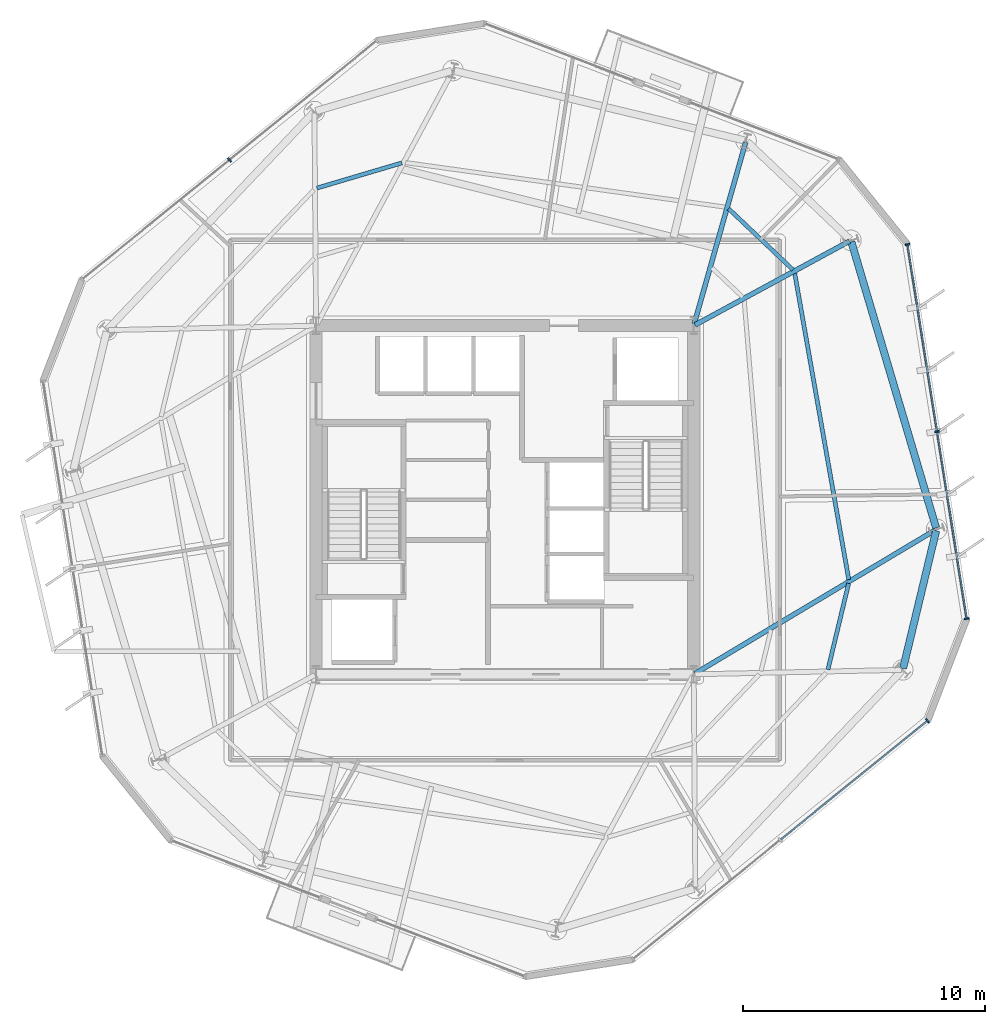
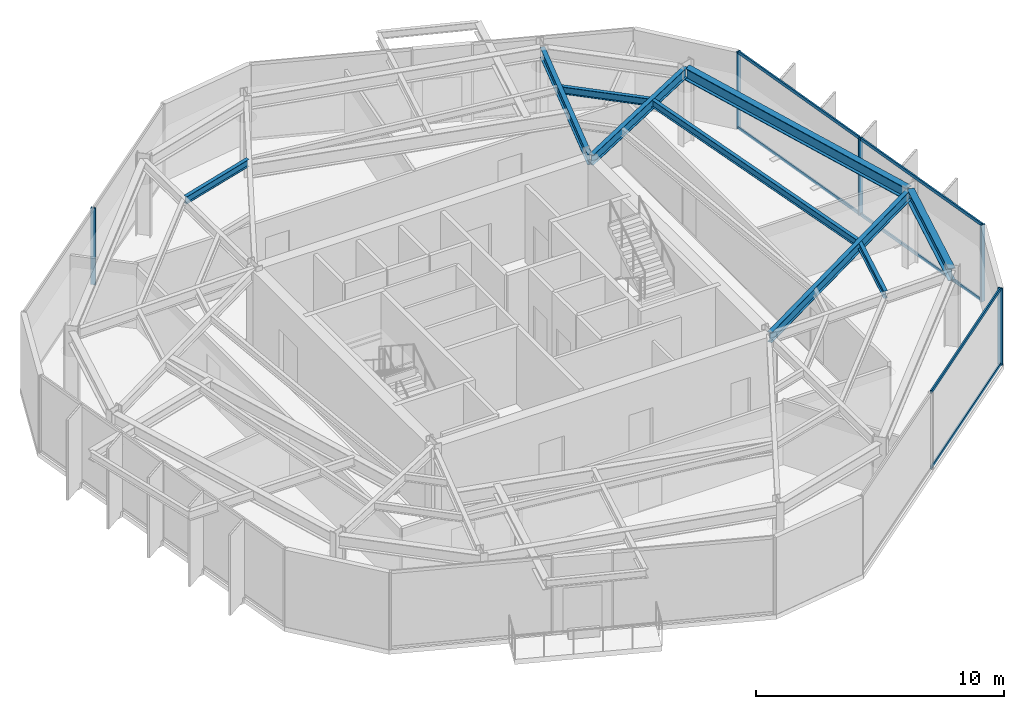
# One storey, part 4 of 12: 11 members, 9 beams, 3 elements without a shape of their own.
"""IFC4 building model written with IfcOpenShell, lengths in metres."""

from ifc_helpers import new_model, si_unit, direction, frame, origin, origin_2d, place, context, subcontext, project, spatial, rectangle, i_section, extrude, material, layer, layer_set, material_profile, profile_set, type_object, element, aggregate, save


model = new_model("IFC4")

# Units and contexts
model_context = context("Model", 3, precision=1e-05, world=origin(), true_north=direction((0.0, 1.0)))
body_context = subcontext(model_context, "Body", "Model", "MODEL_VIEW")
ifc_project = project(units=[si_unit("LENGTHUNIT", "METRE"), si_unit("AREAUNIT", "SQUARE_METRE"), si_unit("VOLUMEUNIT", "CUBIC_METRE"), si_unit("PLANEANGLEUNIT", "RADIAN"), si_unit("MASSUNIT", "GRAM", prefix="KILO")], contexts=[model_context])

# Site, building, storey
site_placement = place(None, origin())
site = spatial("IfcSite", under=ifc_project, at=site_placement, CompositionType="ELEMENT")
building_placement = place(site_placement, origin())
building = spatial("IfcBuilding", under=site, at=building_placement, Name="Kranzbogen Civic Tower", CompositionType="ELEMENT")
storey_placement = place(building_placement, frame((0.0, 0.0, 180.800048828125)))
storey = spatial("IfcBuildingStorey", under=building, at=storey_placement, Name="L43", CompositionType="ELEMENT", Elevation=180.800048828125)

# Curtain wall, member
ifc_material_1 = material(Name="Pale Anodised Aluminium", Category="aluminium")
ifc_layer = layer(ifc_material_1, 0.219970703125, Name="Pale Anodised Aluminium")
ifc_layer_set = layer_set([ifc_layer], Name="Pale Anodised Aluminium")
curtain_wall_type = type_object("IfcCurtainWallType", Name="Zone 3 Stick Curtain Wall System CW-04", PredefinedType="USERDEFINED", material=ifc_layer_set)
curtain_wall_1_placement = place(storey_placement, origin())
curtain_wall_1 = element("IfcCurtainWall", 1, at=curtain_wall_1_placement, inside=storey, type_object=curtain_wall_type, Name="L43 curtain wall CW-L43-F2", ObjectType="STICK CURTAIN WALL", PredefinedType="USERDEFINED")
ifc_material_profile_1 = material_profile(ifc_material_1, rectangle(XDim=0.070068359375, YDim=0.199951171875, at=origin_2d()), Name="ALU-M 70x200")
ifc_profile_set_1 = profile_set([ifc_material_profile_1], Name="Pale Anodised Aluminium")
member_type_1 = type_object("IfcMemberType", Name="Curtain Wall Mullion ALU-M 70x200", PredefinedType="MULLION", material=ifc_profile_set_1)
member_1_placement = place(storey_placement, frame((13.62646484375, 39.0439453125, 0.0), z_axis=(0.0, 0.0, 1.0), x_axis=(-0.777115874444, -0.629357543601, 0.0)))
member_1 = element("IfcMember", 2, at=member_1_placement, type_object=member_type_1, Name="CW-04 mullion 2", PredefinedType="MULLION", context=body_context, shape_type="SweptSolid", body=[
    extrude(rectangle(XDim=0.070068359375, YDim=0.199951171875, at=origin_2d()), origin(), (0.0, 0.0, 1.0), 3.780029296875),
])
aggregate(curtain_wall_1, [member_1])

curtain_wall_2_placement = place(storey_placement, origin())
curtain_wall_2 = element("IfcCurtainWall", 3, at=curtain_wall_2_placement, inside=storey, type_object=curtain_wall_type, Name="L43 curtain wall CW-L43-F5", ObjectType="STICK CURTAIN WALL", PredefinedType="USERDEFINED")
member_2_placement = place(storey_placement, frame((42.45361328125, 15.880126953125, 0.0), z_axis=(0.0, 0.0, 1.0), x_axis=(0.777115874444, 0.629357543601, 0.0)))
member_2 = element("IfcMember", 4, at=member_2_placement, type_object=member_type_1, Name="CW-04 mullion 3", PredefinedType="MULLION", context=body_context, shape_type="SweptSolid", body=[
    extrude(rectangle(XDim=0.070068359375, YDim=0.199951171875, at=origin_2d()), origin(), (0.0, 0.0, 1.0), 3.780029296875),
])

# Curtain wall, members
curtain_wall_3_placement = place(storey_placement, origin())
curtain_wall_3 = element("IfcCurtainWall", 5, at=curtain_wall_3_placement, inside=storey, type_object=curtain_wall_type, Name="L43 curtain wall CW-L43-F6", ObjectType="STICK CURTAIN WALL", PredefinedType="USERDEFINED")
member_3_placement = place(storey_placement, frame((44.072265625, 20.099609375, 0.0), z_axis=(0.0, 0.0, 1.0), x_axis=(-0.156361413818, 0.987699908003, 0.0)))
member_3 = element("IfcMember", 6, at=member_3_placement, type_object=member_type_1, Name="CW-04 mullion 1", PredefinedType="MULLION", context=body_context, shape_type="SweptSolid", body=[
    extrude(rectangle(XDim=0.070068359375, YDim=0.199951171875, at=origin_2d()), origin(), (0.0, 0.0, 1.0), 3.780029296875),
])
member_4_placement = place(storey_placement, frame((42.84912109375, 27.826904296875, 0.0), z_axis=(0.0, 0.0, 1.0), x_axis=(-0.156361413818, 0.987699908003, 0.0)))
member_4 = element("IfcMember", 7, at=member_4_placement, type_object=member_type_1, Name="CW-04 mullion 2", PredefinedType="MULLION", context=body_context, shape_type="SweptSolid", body=[
    extrude(rectangle(XDim=0.070068359375, YDim=0.199951171875, at=origin_2d()), origin(), (0.0, 0.0, 1.0), 3.780029296875),
])
member_5_placement = place(storey_placement, frame((41.625732421875, 35.554443359375, 0.0), z_axis=(0.0, 0.0, 1.0), x_axis=(-0.156361413818, 0.987699908003, 0.0)))
member_5 = element("IfcMember", 8, at=member_5_placement, type_object=member_type_1, Name="CW-04 mullion 3", PredefinedType="MULLION", context=body_context, shape_type="SweptSolid", body=[
    extrude(rectangle(XDim=0.070068359375, YDim=0.199951171875, at=origin_2d()), origin(), (0.0, 0.0, 1.0), 3.780029296875),
])

# Member
ifc_material_profile_2 = material_profile(ifc_material_1, rectangle(XDim=0.070068359375, YDim=0.14990234375, at=origin_2d()), Name="ALU-T 70x150")
ifc_profile_set_2 = profile_set([ifc_material_profile_2], Name="Pale Anodised Aluminium")
member_type_2 = type_object("IfcMemberType", Name="Curtain Wall Transom ALU-T 70x150", PredefinedType="USERDEFINED", material=ifc_profile_set_2)
member_6_placement = place(storey_placement, frame((36.396728515625, 10.974853515625, 0.030029296875), z_axis=(0.777115243261, 0.62935832297, 0.0), x_axis=(-0.62935832297, 0.777115243261, 0.0)))
member_6 = element("IfcMember", 9, at=member_6_placement, type_object=member_type_2, Name="CW-04 transom 2.1", ObjectType="TRANSOM", PredefinedType="USERDEFINED", context=body_context, shape_type="SweptSolid", body=[
    extrude(rectangle(XDim=0.070068359375, YDim=0.14990234375, at=origin_2d()), origin(), (0.0, 0.0, 1.0), 7.76416015625),
])

member_7_placement = place(storey_placement, frame((36.396728515625, 10.974853515625, 3.75), z_axis=(0.777115243261, 0.62935832297, 0.0), x_axis=(-0.62935832297, 0.777115243261, 0.0)))
member_7 = element("IfcMember", 10, at=member_7_placement, type_object=member_type_2, Name="CW-04 transom 2.2", ObjectType="TRANSOM", PredefinedType="USERDEFINED", context=body_context, shape_type="SweptSolid", body=[
    extrude(rectangle(XDim=0.070068359375, YDim=0.14990234375, at=origin_2d()), origin(), (0.0, 0.0, 1.0), 7.76416015625),
])

aggregate(curtain_wall_2, [member_2, member_6, member_7])

member_8_placement = place(storey_placement, frame((44.067626953125, 20.129150390625, 0.030029296875), z_axis=(-0.156351732392, 0.987701440607, 0.0), x_axis=(-0.987701440607, -0.156351732392, 0.0)))
member_8 = element("IfcMember", 11, at=member_8_placement, type_object=member_type_2, Name="CW-04 transom 1.1", ObjectType="TRANSOM", PredefinedType="USERDEFINED", context=body_context, shape_type="SweptSolid", body=[
    extrude(rectangle(XDim=0.070068359375, YDim=0.14990234375, at=origin_2d()), origin(), (0.0, 0.0, 1.0), 7.763671875),
])

member_9_placement = place(storey_placement, frame((44.067626953125, 20.129150390625, 3.75), z_axis=(-0.156351732392, 0.987701440607, 0.0), x_axis=(-0.987701440607, -0.156351732392, 0.0)))
member_9 = element("IfcMember", 12, at=member_9_placement, type_object=member_type_2, Name="CW-04 transom 1.2", ObjectType="TRANSOM", PredefinedType="USERDEFINED", context=body_context, shape_type="SweptSolid", body=[
    extrude(rectangle(XDim=0.070068359375, YDim=0.14990234375, at=origin_2d()), origin(), (0.0, 0.0, 1.0), 7.763671875),
])

member_10_placement = place(storey_placement, frame((42.84423828125, 27.856689453125, 0.030029296875), z_axis=(-0.156356588779, 0.987700671836, 0.0), x_axis=(-0.987700671836, -0.156356588779, 0.0)))
member_10 = element("IfcMember", 13, at=member_10_placement, type_object=member_type_2, Name="CW-04 transom 2.1", ObjectType="TRANSOM", PredefinedType="USERDEFINED", context=body_context, shape_type="SweptSolid", body=[
    extrude(rectangle(XDim=0.070068359375, YDim=0.14990234375, at=origin_2d()), origin(), (0.0, 0.0, 1.0), 7.763427734375),
])

member_11_placement = place(storey_placement, frame((42.84423828125, 27.856689453125, 3.75), z_axis=(-0.156356588779, 0.987700671836, 0.0), x_axis=(-0.987700671836, -0.156356588779, 0.0)))
member_11 = element("IfcMember", 14, at=member_11_placement, type_object=member_type_2, Name="CW-04 transom 2.2", ObjectType="TRANSOM", PredefinedType="USERDEFINED", context=body_context, shape_type="SweptSolid", body=[
    extrude(rectangle(XDim=0.070068359375, YDim=0.14990234375, at=origin_2d()), origin(), (0.0, 0.0, 1.0), 7.763427734375),
])

aggregate(curtain_wall_3, [member_3, member_4, member_5, member_8, member_9, member_10, member_11])

# Beams
ifc_material_2 = material(Name="Steel S355", Category="steel")
ifc_material_profile_3 = material_profile(ifc_material_2, i_section(OverallWidth=0.300048828125, OverallDepth=0.60009765625, WebThickness=0.015380859375, FlangeThickness=0.030029296875, at=origin_2d()), Name="HEB 600")
ifc_profile_set_3 = profile_set([ifc_material_profile_3], Name="Steel S355")
beam_type_1 = type_object("IfcBeamType", Name="Perimeter Tube Spandrel Beam HEB 600", PredefinedType="SPANDREL", material=ifc_profile_set_3)
beam_1_placement = place(storey_placement, frame((41.447021484375, 18.0419921875, 3.47998046875), z_axis=(0.233554380434, 0.972343741369, 0.0), x_axis=(-0.972343741369, 0.233554380434, 0.0)))
element("IfcBeam", 15, at=beam_1_placement, inside=storey, type_object=beam_type_1, Name="L43 perimeter spandrel beam 05", PredefinedType="SPANDREL", context=body_context, shape_type="SweptSolid", body=[
    extrude(i_section(OverallWidth=0.300048828125, OverallDepth=0.60009765625, WebThickness=0.015380859375, FlangeThickness=0.030029296875, at=origin_2d()), origin(), (0.0, 0.0, 1.0), 5.852783203125),
])
beam_2_placement = place(storey_placement, frame((42.81103515625, 23.84912109375, 3.47998046875), z_axis=(-0.284064048956, 0.958805306666, 0.0), x_axis=(-0.958805306666, -0.284064048956, 0.0)))
element("IfcBeam", 16, at=beam_2_placement, inside=storey, type_object=beam_type_1, Name="L43 perimeter spandrel beam 06", PredefinedType="SPANDREL", context=body_context, shape_type="SweptSolid", body=[
    extrude(i_section(OverallWidth=0.300048828125, OverallDepth=0.60009765625, WebThickness=0.015380859375, FlangeThickness=0.030029296875, at=origin_2d()), origin(), (0.0, 0.0, 1.0), 12.32470703125),
])
ifc_material_profile_4 = material_profile(ifc_material_2, i_section(OverallWidth=0.199951171875, OverallDepth=0.5, WebThickness=0.01025390625, FlangeThickness=0.01611328125, at=origin_2d()), Name="IPE 500")
ifc_profile_set_4 = profile_set([ifc_material_profile_4], Name="Steel S355")
beam_type_2 = type_object("IfcBeamType", Name="Radial Tower Floor Girder IPE 500", PredefinedType="BEAM", material=ifc_profile_set_4)
beam_3_placement = place(storey_placement, frame((42.77587890625, 23.760009765625, 3.530029296875), z_axis=(-0.858458551809, -0.512882944565, 0.0), x_axis=(0.512882944565, -0.858458551809, 0.0)))
element("IfcBeam", 17, at=beam_3_placement, inside=storey, type_object=beam_type_2, Name="L43 radial floor girder 06", PredefinedType="BEAM", context=body_context, shape_type="SweptSolid", body=[
    extrude(i_section(OverallWidth=0.199951171875, OverallDepth=0.5, WebThickness=0.01025390625, FlangeThickness=0.01611328125, at=origin_2d()), origin(), (0.0, 0.0, 1.0), 11.56005859375),
])
beam_4_placement = place(storey_placement, frame((39.239990234375, 35.695068359375, 3.530029296875), z_axis=(-0.878919430102, -0.476970266777, 0.0), x_axis=(0.476970266777, -0.878919430102, 0.0)))
element("IfcBeam", 18, at=beam_4_placement, inside=storey, type_object=beam_type_2, Name="L43 radial floor girder 07", PredefinedType="BEAM", context=body_context, shape_type="SweptSolid", body=[
    extrude(i_section(OverallWidth=0.199951171875, OverallDepth=0.5, WebThickness=0.01025390625, FlangeThickness=0.01611328125, at=origin_2d()), origin(), (0.0, 0.0, 1.0), 7.266845703125),
])
beam_5_placement = place(storey_placement, frame((34.945068359375, 39.777099609375, 3.530029296875), z_axis=(-0.272455078988, -0.962168503919, 0.0), x_axis=(0.962168503919, -0.272455078988, 0.0)))
element("IfcBeam", 19, at=beam_5_placement, inside=storey, type_object=beam_type_2, Name="L43 radial floor girder 08", PredefinedType="BEAM", context=body_context, shape_type="SweptSolid", body=[
    extrude(i_section(OverallWidth=0.199951171875, OverallDepth=0.5, WebThickness=0.01025390625, FlangeThickness=0.01611328125, at=origin_2d()), origin(), (0.0, 0.0, 1.0), 7.814697265625),
])
ifc_material_profile_5 = material_profile(ifc_material_2, i_section(OverallWidth=0.169921875, OverallDepth=0.360107421875, WebThickness=0.008056640625, FlangeThickness=0.0126953125, at=origin_2d()), Name="IPE 360")
ifc_profile_set_5 = profile_set([ifc_material_profile_5], Name="Steel S355")
beam_type_3 = type_object("IfcBeamType", Name="Secondary Composite Floor Joist IPE 360", PredefinedType="JOIST", material=ifc_profile_set_5)
beam_6_placement = place(storey_placement, frame((38.343994140625, 17.99609375, 3.599853515625), z_axis=(0.233534367714, 0.972348548154, 0.0), x_axis=(-0.972348548154, 0.233534367714, 0.0)))
element("IfcBeam", 20, at=beam_6_placement, inside=storey, type_object=beam_type_3, Name="L43 secondary floor joist 1.05", PredefinedType="JOIST", context=body_context, shape_type="SweptSolid", body=[
    extrude(i_section(OverallWidth=0.169921875, OverallDepth=0.360107421875, WebThickness=0.008056640625, FlangeThickness=0.0126953125, at=origin_2d()), origin(), (0.0, 0.0, 1.0), 3.6611328125),
])
beam_7_placement = place(storey_placement, frame((39.2041015625, 21.712890625, 3.599853515625), z_axis=(-0.173805911364, 0.984779927281, 0.0), x_axis=(-0.984779927281, -0.173805911364, 0.0)))
element("IfcBeam", 21, at=beam_7_placement, inside=storey, type_object=beam_type_3, Name="L43 secondary floor joist 1.06", PredefinedType="JOIST", context=body_context, shape_type="SweptSolid", body=[
    extrude(i_section(OverallWidth=0.169921875, OverallDepth=0.360107421875, WebThickness=0.008056640625, FlangeThickness=0.0126953125, at=origin_2d()), origin(), (0.0, 0.0, 1.0), 12.85986328125),
])
beam_8_placement = place(storey_placement, frame((36.89697265625, 34.510009765625, 3.599853515625), z_axis=(-0.725300648604, 0.688432254572, 0.0), x_axis=(-0.688432254572, -0.725300648604, 0.0)))
element("IfcBeam", 22, at=beam_8_placement, inside=storey, type_object=beam_type_3, Name="L43 secondary floor joist 1.07", PredefinedType="JOIST", context=body_context, shape_type="SweptSolid", body=[
    extrude(i_section(OverallWidth=0.169921875, OverallDepth=0.360107421875, WebThickness=0.008056640625, FlangeThickness=0.0126953125, at=origin_2d()), origin(), (0.0, 0.0, 1.0), 3.661865234375),
])
beam_9_placement = place(storey_placement, frame((20.74609375, 38.923095703125, 3.599853515625), z_axis=(-0.958843823165, -0.283934011309, 0.0), x_axis=(0.283934011309, -0.958843823165, 0.0)))
element("IfcBeam", 23, at=beam_9_placement, inside=storey, type_object=beam_type_3, Name="L43 secondary floor joist 1.09", PredefinedType="JOIST", context=body_context, shape_type="SweptSolid", body=[
    extrude(i_section(OverallWidth=0.169921875, OverallDepth=0.360107421875, WebThickness=0.008056640625, FlangeThickness=0.0126953125, at=origin_2d()), origin(), (0.0, 0.0, 1.0), 3.662841796875),
])

save(model, "model.ifc")
